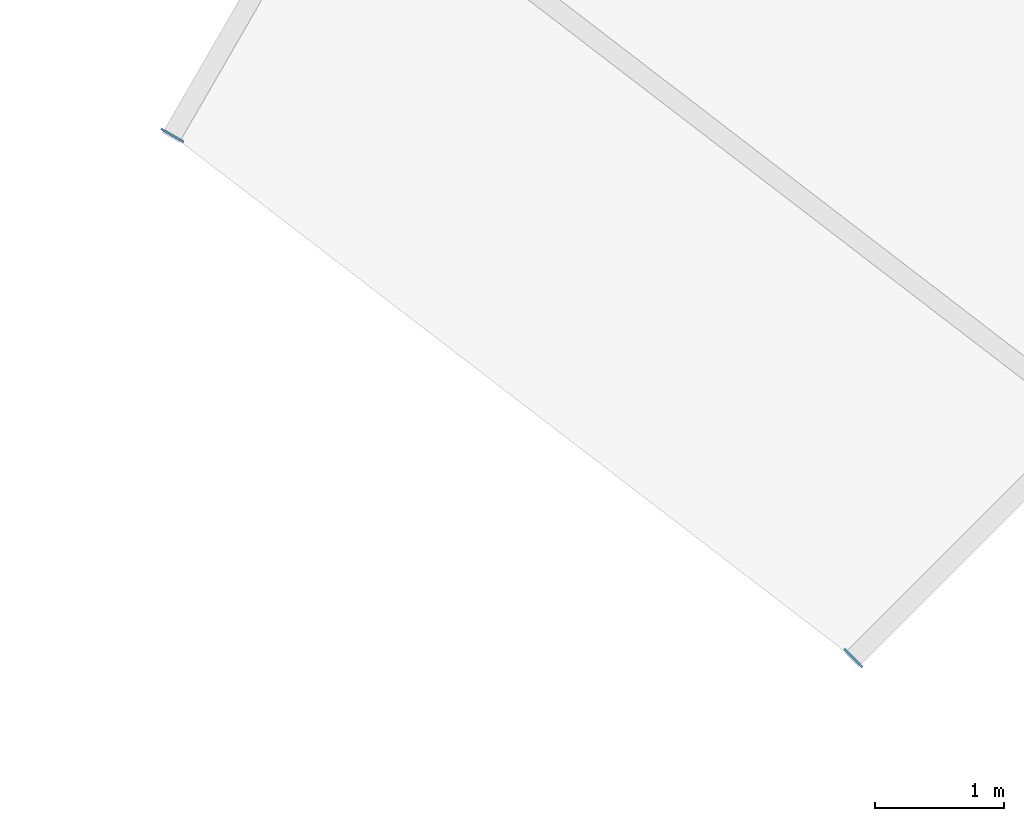
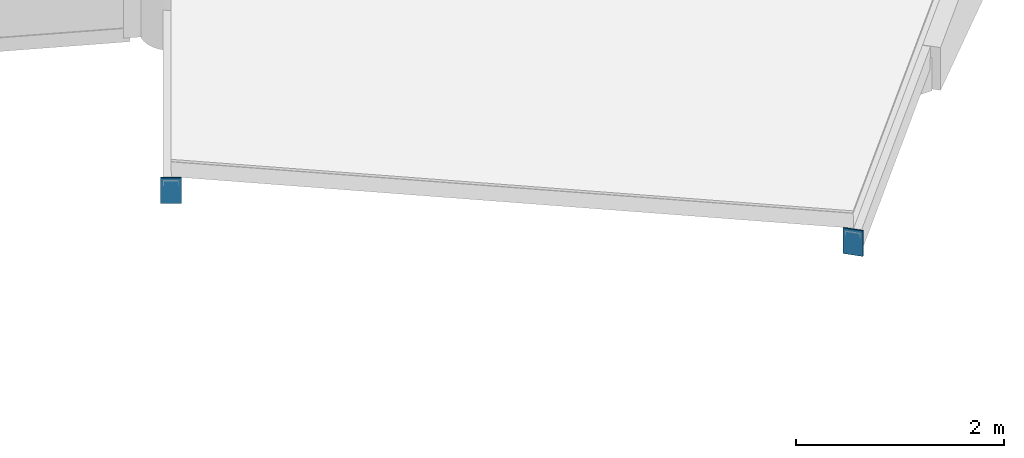
# One storey, part 76 of 93: 2 plates.
"""IFC4 building model written with IfcOpenShell, lengths in metres."""

from ifc_helpers import new_model, si_unit, direction, frame, origin, origin_2d, place, context, subcontext, project, spatial, rectangle, extrude, material, layer, layer_set, type_object, element, save


model = new_model("IFC4")

# Units and contexts
model_context = context("Model", 3, precision=1e-05, world=origin(), true_north=direction((0.0, 1.0)))
body_context = subcontext(model_context, "Body", "Model", "MODEL_VIEW")
ifc_project = project(units=[si_unit("LENGTHUNIT", "METRE"), si_unit("AREAUNIT", "SQUARE_METRE"), si_unit("VOLUMEUNIT", "CUBIC_METRE"), si_unit("PLANEANGLEUNIT", "RADIAN"), si_unit("MASSUNIT", "GRAM", prefix="KILO")], contexts=[model_context])

# Site, building, storey
site_placement = place(None, origin())
site = spatial("IfcSite", under=ifc_project, at=site_placement, CompositionType="ELEMENT")
building_placement = place(site_placement, origin())
building = spatial("IfcBuilding", under=site, at=building_placement, Name="Vondelvale Polytechnic", CompositionType="ELEMENT")
storey_placement = place(building_placement, frame((0.0, 0.0, 18.0)))
storey = spatial("IfcBuildingStorey", under=building, at=storey_placement, Name="L04", CompositionType="ELEMENT", Elevation=18.0)

# Plates
ifc_material = material(Name="Steel Grade 350 (fy = 340 MPa)", Category="steel")
ifc_layer = layer(ifc_material, 0.01611328125)
ifc_layer_set = layer_set([ifc_layer], Name="PLATE-CAP-300x200")
plate_type = type_object("IfcPlateType", Name="PLATE-CAP-300x200", PredefinedType="USERDEFINED", material=ifc_layer_set)
for number, where, z_axis, x_axis, name in (
    (1, (119.96044921875, 89.96044921875, -0.18408203125), (0.0, 0.0, 1.0), (-0.707106781187, -0.707106781187, 0.0), "Ring rafter hollow end cap plate 03I"),
    (2, (114.699951171875, 93.9970703125, -0.18408203125), (0.0, 0.0, 1.0), (-0.5, -0.866025403784, 0.0), "Ring step rafter end cap plate 03I"),
):
    element("IfcPlate", number, at=place(storey_placement, frame(where, z_axis=z_axis, x_axis=x_axis)), inside=storey, type_object=plate_type, Name=name, ObjectType="CAP_PLATE", PredefinedType="USERDEFINED", context=body_context, shape_type="SweptSolid", body=[
        extrude(rectangle(XDim=0.01611328125, YDim=0.199951171875, at=origin_2d()), origin(), (0.0, 0.0, 1.0), 0.300048828125),
    ])

save(model, "model.ifc")
